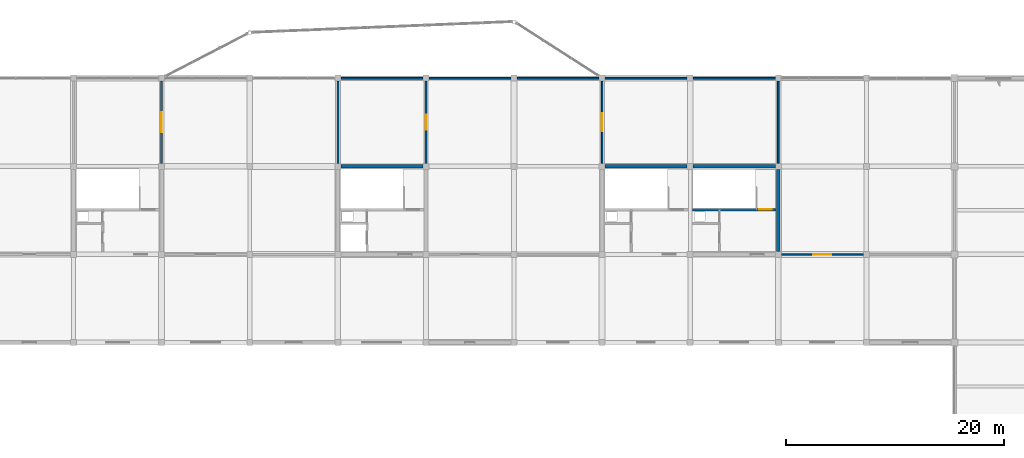
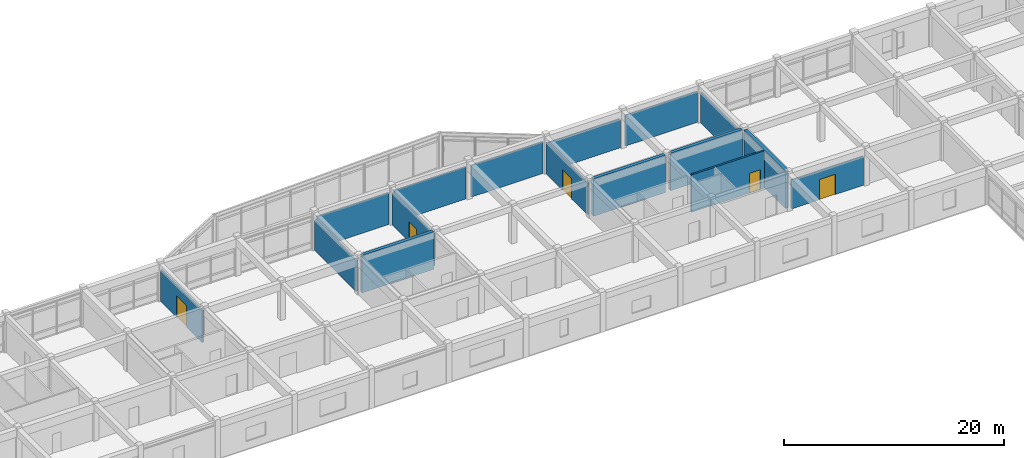
# One storey, part 28 of 40: 16 walls, 5 doors, 5 openings.
"""IFC4 building model written with IfcOpenShell, lengths in metres."""

from ifc_helpers import new_model, si_unit, direction, frame, frame_2d, origin, place, context, subcontext, project, spatial, rectangle, extrude, material, layer, layer_set, type_object, element, fill, save


model = new_model("IFC4")

# Units and contexts
model_context = context("Model", 3, precision=1e-05, world=origin(), true_north=direction((0.0, 1.0)))
body_context = subcontext(model_context, "Body", "Model", "MODEL_VIEW")
ifc_project = project(units=[si_unit("LENGTHUNIT", "METRE"), si_unit("AREAUNIT", "SQUARE_METRE"), si_unit("VOLUMEUNIT", "CUBIC_METRE"), si_unit("PLANEANGLEUNIT", "RADIAN"), si_unit("MASSUNIT", "GRAM", prefix="KILO")], contexts=[model_context])

# Site, building, storey
site_placement = place(None, origin())
site = spatial("IfcSite", under=ifc_project, at=site_placement, CompositionType="ELEMENT")
building_placement = place(site_placement, origin())
building = spatial("IfcBuilding", under=site, at=building_placement, Name="Vaudrelin Polytechnic", CompositionType="ELEMENT")
storey_placement = place(building_placement, frame((0.0, 0.0, 22.949951171875)))
storey = spatial("IfcBuildingStorey", under=building, at=storey_placement, Name="L05", CompositionType="ELEMENT", Elevation=22.949951171875)

# Wall
ifc_material_1 = material(Name="Concrete masonry unit 20 MPa shaft & corridor fire wall", Category="masonry")
ifc_layer_1 = layer(ifc_material_1, 0.199951171875)
ifc_layer_set_1 = layer_set([ifc_layer_1], Name="Concrete masonry unit 20 MPa shaft & corridor fire wall")
wall_type_1 = type_object("IfcWallType", Name="WAL-PW-FIRE120", PredefinedType="PARTITIONING", material=ifc_layer_set_1)
wall_1_placement = place(storey_placement, frame((81.0, 113.673095703125, 0.0), z_axis=(0.0, 0.0, 1.0), x_axis=(0.0, 1.0, 0.0)))
element("IfcWall", 1, at=wall_1_placement, inside=storey, type_object=wall_type_1, Name="Partition L05-003 E", PredefinedType="PARTITIONING", context=body_context, shape_type="SweptSolid", body=[
    extrude(rectangle(XDim=7.553955078125, YDim=0.199951171875, at=frame_2d((3.77685546875, 0.0))), origin(), (0.0, 0.0, 1.0), 3.412109375),
])

# Wall, opening, door
wall_2_placement = place(storey_placement, frame((64.800048828125, 113.673095703125, 0.0), z_axis=(0.0, 0.0, 1.0), x_axis=(0.0, 1.0, 0.0)))
wall_2 = element("IfcWall", 2, at=wall_2_placement, inside=storey, type_object=wall_type_1, Name="Partition L05-003 W", PredefinedType="PARTITIONING", context=body_context, shape_type="SweptSolid", body=[
    extrude(rectangle(XDim=7.553955078125, YDim=0.199951171875, at=frame_2d((3.77685546875, 0.0))), origin(), (0.0, 0.0, 1.0), 3.511962890625),
])
opening_1_placement = place(wall_2_placement, frame((2.876953125, 0.0, 0.0)))
opening_1 = element("IfcOpeningElement", 3, at=opening_1_placement, cuts=wall_2, Name="Opening D-L05-556", PredefinedType="OPENING", context=body_context, shape_type="SweptSolid", body=[
    extrude(rectangle(XDim=1.800048828125, YDim=2.39990234375, at=frame_2d((0.89990234375, 1.199951171875))), frame((0.0, 0.10986328125, 0.0), z_axis=(0.0, -1.0, 0.0), x_axis=(1.0, 0.0, 0.0)), (0.0, 0.0, 1.0), 0.219970703125),
])
ifc_material_2 = material(Name="Pressed galvanised steel acoustic leaf", Category="steel")
door_type_1 = type_object("IfcDoorType", Name="DOR-ID-WK1", OperationType="NOTDEFINED", PredefinedType="DOOR", material=ifc_material_2)
door_1_placement = place(opening_1_placement, origin())
door_1 = element("IfcDoor", 4, at=door_1_placement, inside=storey, type_object=door_type_1, Name="Laser Exhaust Filtration Alcove door L05-019", OperationType="DOUBLE_SWING_LEFT", OverallHeight=2.39990234375, OverallWidth=1.800048828125, PredefinedType="DOOR", context=body_context, shape_type="SweptSolid", body=[
    extrude(rectangle(XDim=1.800048828125, YDim=2.39990234375, at=frame_2d((0.89990234375, 1.199951171875))), frame((0.0, 0.02490234375, 0.0), z_axis=(0.0, -1.0, 0.0), x_axis=(1.0, 0.0, 0.0)), (0.0, 0.0, 1.0), 0.050048828125),
])
fill(opening_1, door_1)

ifc_material_3 = material(Name="Pin-up plywood & acoustic gypsum studio partition", Category="wood")
ifc_layer_2 = layer(ifc_material_3, 0.14990234375)
ifc_layer_set_2 = layer_set([ifc_layer_2], Name="Pin-up plywood & acoustic gypsum studio partition")
wall_type_2 = type_object("IfcWallType", Name="WAL-PW-STU150", PredefinedType="PARTITIONING", material=ifc_layer_set_2)
wall_3_placement = place(storey_placement, frame((105.300048828125, 113.673095703125, 0.0), z_axis=(0.0, 0.0, 1.0), x_axis=(0.0, 1.0, 0.0)))
wall_3 = element("IfcWall", 5, at=wall_3_placement, inside=storey, type_object=wall_type_2, Name="Partition L05-004 E", PredefinedType="PARTITIONING", context=body_context, shape_type="SweptSolid", body=[
    extrude(rectangle(XDim=7.553955078125, YDim=0.14990234375, at=frame_2d((3.77685546875, 0.0))), origin(), (0.0, 0.0, 1.0), 3.511962890625),
])
opening_2_placement = place(wall_3_placement, frame((2.95703125, 0.0, 0.0)))
opening_2 = element("IfcOpeningElement", 6, at=opening_2_placement, cuts=wall_3, Name="Opening D-L05-558", PredefinedType="OPENING", context=body_context, shape_type="SweptSolid", body=[
    extrude(rectangle(XDim=1.639892578125, YDim=2.25, at=frame_2d((0.81982421875, 1.125))), frame((0.0, 0.0849609375, 0.0), z_axis=(0.0, -1.0, 0.0), x_axis=(1.0, 0.0, 0.0)), (0.0, 0.0, 1.0), 0.169921875),
])
ifc_material_4 = material(Name="Solid-core birch veneer acoustic leaf", Category="wood")
door_type_2 = type_object("IfcDoorType", Name="DOR-ID-STU2", OperationType="NOTDEFINED", PredefinedType="DOOR", material=ifc_material_4)
door_2_placement = place(opening_2_placement, origin())
door_2 = element("IfcDoor", 7, at=door_2_placement, inside=storey, type_object=door_type_2, Name="Ergonomics Motion Capture Alcove door L05-021", OperationType="DOUBLE_SWING_LEFT", OverallHeight=2.25, OverallWidth=1.639892578125, PredefinedType="DOOR", context=body_context, shape_type="SweptSolid", body=[
    extrude(rectangle(XDim=1.639892578125, YDim=2.25, at=frame_2d((0.81982421875, 1.125))), frame((0.0, 0.02490234375, 0.0), z_axis=(0.0, -1.0, 0.0), x_axis=(1.0, 0.0, 0.0)), (0.0, 0.0, 1.0), 0.050048828125),
])
fill(opening_2, door_2)

wall_4_placement = place(storey_placement, frame((89.10009765625, 113.673095703125, 0.0), z_axis=(0.0, 0.0, 1.0), x_axis=(0.0, 1.0, 0.0)))
wall_4 = element("IfcWall", 8, at=wall_4_placement, inside=storey, type_object=wall_type_2, Name="Partition L05-004 W", PredefinedType="PARTITIONING", context=body_context, shape_type="SweptSolid", body=[
    extrude(rectangle(XDim=7.553955078125, YDim=0.14990234375, at=frame_2d((3.77685546875, 0.0))), origin(), (0.0, 0.0, 1.0), 3.56201171875),
])
opening_3_placement = place(wall_4_placement, frame((3.076904296875, 0.0, 0.0)))
opening_3 = element("IfcOpeningElement", 9, at=opening_3_placement, cuts=wall_4, Name="Opening D-L05-557", PredefinedType="OPENING", context=body_context, shape_type="SweptSolid", body=[
    extrude(rectangle(XDim=1.39990234375, YDim=2.199951171875, at=frame_2d((0.699951171875, 1.10009765625))), frame((0.0, 0.0849609375, 0.0), z_axis=(0.0, -1.0, 0.0), x_axis=(1.0, 0.0, 0.0)), (0.0, 0.0, 1.0), 0.169921875),
])
door_type_3 = type_object("IfcDoorType", Name="DOR-ID-STU1", OperationType="NOTDEFINED", PredefinedType="DOOR", material=ifc_material_4)
door_3_placement = place(opening_3_placement, origin())
door_3 = element("IfcDoor", 10, at=door_3_placement, inside=storey, type_object=door_type_3, Name="Capstone Prototyping Alcove door L05-020", OperationType="DOUBLE_SWING_LEFT", OverallHeight=2.199951171875, OverallWidth=1.39990234375, PredefinedType="DOOR", context=body_context, shape_type="SweptSolid", body=[
    extrude(rectangle(XDim=1.39990234375, YDim=2.199951171875, at=frame_2d((0.699951171875, 1.10009765625))), frame((0.0, 0.02490234375, 0.0), z_axis=(0.0, -1.0, 0.0), x_axis=(1.0, 0.0, 0.0)), (0.0, 0.0, 1.0), 0.050048828125),
])
fill(opening_3, door_3)

# Walls
wall_5_placement = place(storey_placement, frame((89.373046875, 121.5, 0.0), z_axis=(0.0, 0.0, 1.0), x_axis=(1.0, 0.0, 0.0)))
element("IfcWall", 11, at=wall_5_placement, inside=storey, type_object=wall_type_2, Name="Partition L05-004 N", PredefinedType="PARTITIONING", context=body_context, shape_type="SweptSolid", body=[
    extrude(rectangle(XDim=7.553955078125, YDim=0.14990234375, at=frame_2d((3.77685546875, 0.0))), origin(), (0.0, 0.0, 1.0), 3.56201171875),
])
wall_6_placement = place(storey_placement, frame((97.472900390625, 121.5, 0.0), z_axis=(0.0, 0.0, 1.0), x_axis=(1.0, 0.0, 0.0)))
element("IfcWall", 12, at=wall_6_placement, inside=storey, type_object=wall_type_2, Name="Partition L05-004 N", PredefinedType="PARTITIONING", context=body_context, shape_type="SweptSolid", body=[
    extrude(rectangle(XDim=7.55419921875, YDim=0.14990234375, at=frame_2d((3.777099609375, 0.0))), origin(), (0.0, 0.0, 1.0), 3.511962890625),
])

# Wall, opening, door
wall_7_placement = place(storey_placement, frame((121.77294921875, 105.300048828125, 0.0), z_axis=(0.0, 0.0, 1.0), x_axis=(1.0, 0.0, 0.0)))
wall_7 = element("IfcWall", 13, at=wall_7_placement, inside=storey, type_object=wall_type_2, Name="Partition L05-005 S", PredefinedType="PARTITIONING", context=body_context, shape_type="SweptSolid", body=[
    extrude(rectangle(XDim=7.553955078125, YDim=0.14990234375, at=frame_2d((3.77685546875, 0.0))), origin(), (0.0, 0.0, 1.0), 3.212158203125),
])
opening_4_placement = place(wall_7_placement, frame((2.95703125, 0.0, 0.0)))
opening_4 = element("IfcOpeningElement", 14, at=opening_4_placement, cuts=wall_7, Name="Opening D-L05-544", PredefinedType="OPENING", context=body_context, shape_type="SweptSolid", body=[
    extrude(rectangle(XDim=1.639892578125, YDim=2.25, at=frame_2d((0.81982421875, 1.125))), frame((0.0, 0.0849609375, 0.0), z_axis=(0.0, -1.0, 0.0), x_axis=(1.0, 0.0, 0.0)), (0.0, 0.0, 1.0), 0.169921875),
])
door_4_placement = place(opening_4_placement, origin())
door_4 = element("IfcDoor", 15, at=door_4_placement, inside=storey, type_object=door_type_2, Name="Industrial Ergonomics Capstone Studio door L05-005", OperationType="DOUBLE_SWING_LEFT", OverallHeight=2.25, OverallWidth=1.639892578125, PredefinedType="DOOR", context=body_context, shape_type="SweptSolid", body=[
    extrude(rectangle(XDim=1.639892578125, YDim=2.25, at=frame_2d((0.81982421875, 1.125))), frame((0.0, 0.02490234375, 0.0), z_axis=(0.0, -1.0, 0.0), x_axis=(1.0, 0.0, 0.0)), (0.0, 0.0, 1.0), 0.050048828125),
])
fill(opening_4, door_4)

# Walls
wall_8_placement = place(storey_placement, frame((121.5, 113.673095703125, 0.0), z_axis=(0.0, 0.0, 1.0), x_axis=(0.0, 1.0, 0.0)))
element("IfcWall", 16, at=wall_8_placement, inside=storey, type_object=wall_type_2, Name="Partition L05-005 W", PredefinedType="PARTITIONING", context=body_context, shape_type="SweptSolid", body=[
    extrude(rectangle(XDim=7.553955078125, YDim=0.14990234375, at=frame_2d((3.77685546875, 0.0))), origin(), (0.0, 0.0, 1.0), 3.412109375),
])
wall_9_placement = place(storey_placement, frame((81.27294921875, 121.5, 0.0), z_axis=(0.0, 0.0, 1.0), x_axis=(1.0, 0.0, 0.0)))
element("IfcWall", 17, at=wall_9_placement, inside=storey, type_object=wall_type_2, Name="Partition L05-020 N", PredefinedType="PARTITIONING", context=body_context, shape_type="SweptSolid", body=[
    extrude(rectangle(XDim=7.553955078125, YDim=0.14990234375, at=frame_2d((3.77685546875, 0.0))), origin(), (0.0, 0.0, 1.0), 3.511962890625),
])
wall_10_placement = place(storey_placement, frame((105.572998046875, 121.5, 0.0), z_axis=(0.0, 0.0, 1.0), x_axis=(1.0, 0.0, 0.0)))
element("IfcWall", 18, at=wall_10_placement, inside=storey, type_object=wall_type_2, Name="Partition L05-021 N", PredefinedType="PARTITIONING", context=body_context, shape_type="SweptSolid", body=[
    extrude(rectangle(XDim=7.553955078125, YDim=0.14990234375, at=frame_2d((3.77685546875, 0.0))), origin(), (0.0, 0.0, 1.0), 3.212158203125),
])
wall_11_placement = place(storey_placement, frame((113.673095703125, 121.5, 0.0), z_axis=(0.0, 0.0, 1.0), x_axis=(1.0, 0.0, 0.0)))
element("IfcWall", 19, at=wall_11_placement, inside=storey, type_object=wall_type_2, Name="Partition L05-021 N", PredefinedType="PARTITIONING", context=body_context, shape_type="SweptSolid", body=[
    extrude(rectangle(XDim=7.553955078125, YDim=0.14990234375, at=frame_2d((3.77685546875, 0.0))), origin(), (0.0, 0.0, 1.0), 3.412109375),
])

# Wall, opening, door
ifc_material_5 = material(Name="Concrete 40 MPa", Category="concrete")
ifc_layer_3 = layer(ifc_material_5, 0.199951171875)
ifc_layer_set_3 = layer_set([ifc_layer_3], Name="Concrete 40 MPa")
wall_type_3 = type_object("IfcWallType", Name="WAL-SW-CORE200", PredefinedType="SHEAR", material=ifc_layer_set_3)
wall_12_placement = place(storey_placement, frame((113.6201171875, 109.409912109375, 0.0), z_axis=(0.0, 0.0, 1.0), x_axis=(1.0, 0.0, 0.0)))
wall_12 = element("IfcWall", 20, at=wall_12_placement, inside=storey, type_object=wall_type_3, Name="Core C10 stair enclosure wall L05", PredefinedType="SHEAR", context=body_context, shape_type="SweptSolid", body=[
    extrude(rectangle(XDim=7.659912109375, YDim=0.199951171875, at=frame_2d((3.830078125, 0.0))), origin(), (0.0, 0.0, 1.0), 4.162109375),
])
opening_5_placement = place(wall_12_placement, frame((6.110107421875, 0.0, 0.0)))
opening_5 = element("IfcOpeningElement", 21, at=opening_5_placement, cuts=wall_12, Name="Opening D-L05-229", PredefinedType="OPENING", context=body_context, shape_type="SweptSolid", body=[
    extrude(rectangle(XDim=1.14990234375, YDim=2.199951171875, at=frame_2d((0.574951171875, 1.10009765625))), frame((0.0, 0.10986328125, 0.0), z_axis=(0.0, -1.0, 0.0), x_axis=(1.0, 0.0, 0.0)), (0.0, 0.0, 1.0), 0.219970703125),
])
door_type_4 = type_object("IfcDoorType", Name="DOR-ID-ST1", OperationType="NOTDEFINED", PredefinedType="DOOR", material=ifc_material_2)
door_5_placement = place(opening_5_placement, origin())
door_5 = element("IfcDoor", 22, at=door_5_placement, inside=storey, type_object=door_type_4, Name="Core C10 exit stair door L05", OperationType="SINGLE_SWING_LEFT", OverallHeight=2.199951171875, OverallWidth=1.14990234375, PredefinedType="DOOR", context=body_context, shape_type="SweptSolid", body=[
    extrude(rectangle(XDim=1.14990234375, YDim=2.199951171875, at=frame_2d((0.574951171875, 1.10009765625))), frame((0.0, 0.02490234375, 0.0), z_axis=(0.0, -1.0, 0.0), x_axis=(1.0, 0.0, 0.0)), (0.0, 0.0, 1.0), 0.050048828125),
])
fill(opening_5, door_5)

# Walls
ifc_material_6 = material(Name="Concrete 50 MPa", Category="concrete")
ifc_layer_4 = layer(ifc_material_6, 0.35009765625)
ifc_layer_set_4 = layer_set([ifc_layer_4], Name="Concrete 50 MPa")
wall_type_4 = type_object("IfcWallType", Name="WAL-SW-CORE350", PredefinedType="SHEAR", material=ifc_layer_set_4)
for number, where, z_axis, x_axis, name in (
    (23, (81.27294921875, 113.39990234375, 0.0), (0.0, 0.0, 1.0), (1.0, 0.0, 0.0), "Core C2 N shear wall L05"),
    (24, (113.673095703125, 113.39990234375, 0.0), (0.0, 0.0, 1.0), (1.0, 0.0, 0.0), "Core C10 N shear wall L05"),
    (25, (121.5, 105.572998046875, 0.0), (0.0, 0.0, 1.0), (0.0, 1.0, 0.0), "Core C10 E shear wall L05"),
    (26, (105.572998046875, 113.39990234375, 0.0), (0.0, 0.0, 1.0), (1.0, 0.0, 0.0), "Core C11 N shear wall L05"),
):
    element("IfcWall", number, at=place(storey_placement, frame(where, z_axis=z_axis, x_axis=x_axis)), inside=storey, type_object=wall_type_4, Name=name, PredefinedType="SHEAR", context=body_context, shape_type="SweptSolid", body=[
        extrude(rectangle(XDim=7.553955078125, YDim=0.35009765625, at=frame_2d((3.77685546875, 0.0))), origin(), (0.0, 0.0, 1.0), 4.162109375),
    ])

save(model, "model.ifc")
